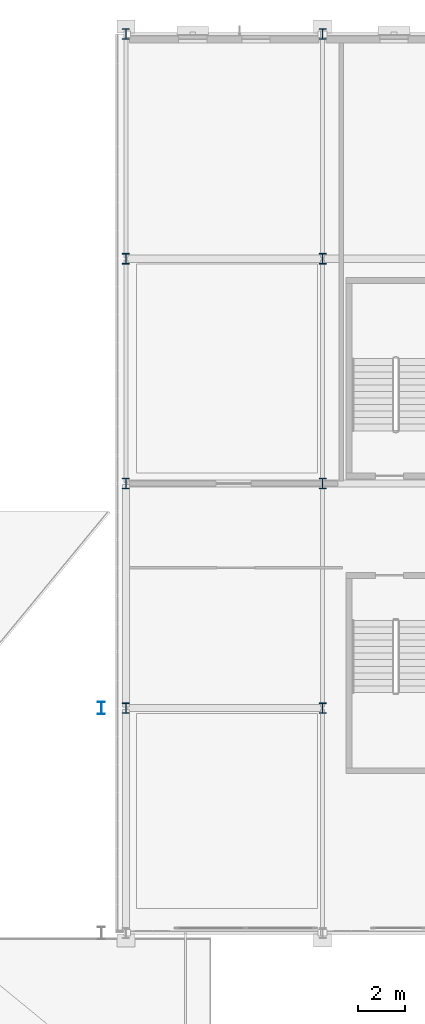
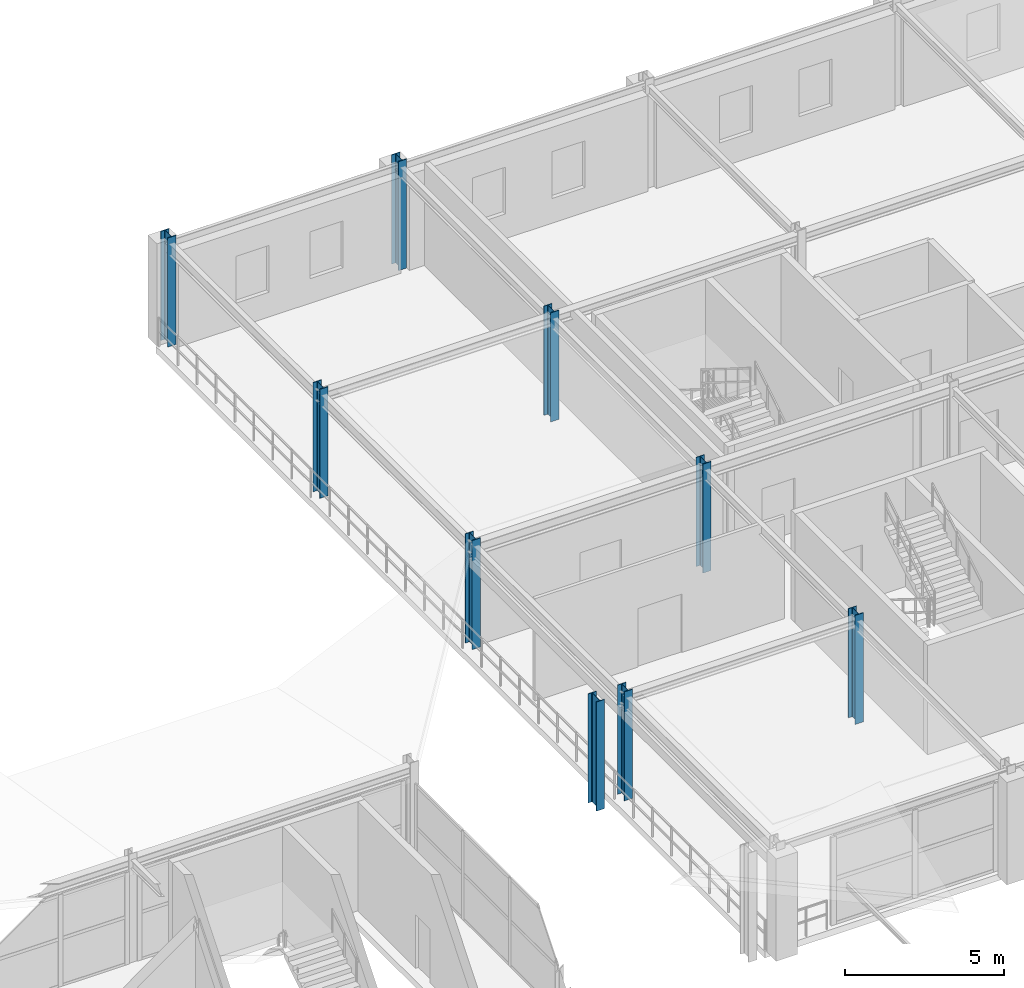
# One storey, part 8 of 81: 9 columns.
"""IFC4 building model written with IfcOpenShell, lengths in metres."""

from ifc_helpers import new_model, si_unit, direction, frame, origin, origin_2d, place, context, subcontext, project, spatial, i_section, extrude, material, material_profile, profile_set, type_object, element, save


model = new_model("IFC4")

# Units and contexts
model_context = context("Model", 3, precision=1e-05, world=origin(), true_north=direction((0.0, 1.0)))
body_context = subcontext(model_context, "Body", "Model", "MODEL_VIEW")
ifc_project = project(units=[si_unit("LENGTHUNIT", "METRE"), si_unit("AREAUNIT", "SQUARE_METRE"), si_unit("VOLUMEUNIT", "CUBIC_METRE"), si_unit("PLANEANGLEUNIT", "RADIAN"), si_unit("MASSUNIT", "GRAM", prefix="KILO")], contexts=[model_context])

# Site, building, storey
site_placement = place(None, origin())
site = spatial("IfcSite", under=ifc_project, at=site_placement, CompositionType="ELEMENT")
building_placement = place(site_placement, origin())
building = spatial("IfcBuilding", under=site, at=building_placement, Name="Myrtia Square Station", CompositionType="ELEMENT")
storey_placement = place(building_placement, frame((0.0, 0.0, 10.800048828125)))
storey = spatial("IfcBuildingStorey", under=building, at=storey_placement, Name="L02", CompositionType="ELEMENT", Elevation=10.800048828125)

# Columns
ifc_material = material(Name="Steel S355", Category="steel")
ifc_material_profile_1 = material_profile(ifc_material, i_section(OverallWidth=0.300048828125, OverallDepth=0.5400390625, WebThickness=0.012451171875, FlangeThickness=0.02392578125, FilletRadius=0.027099609375, at=origin_2d()), Name="HEA 550")
ifc_profile_set_1 = profile_set([ifc_material_profile_1], Name="Steel S355")
column_type_1 = type_object("IfcColumnType", Name="COL-HEA550", PredefinedType="COLUMN", material=ifc_profile_set_1)
column_placement = place(storey_placement, frame((116.550048828125, 96.0, 0.0), z_axis=(0.0, 0.0, 1.0), x_axis=(1.0, 0.0, 0.0)))
element("IfcColumn", 1, at=column_placement, inside=storey, type_object=column_type_1, Name="Column L02-0403", PredefinedType="COLUMN", context=body_context, shape_type="SweptSolid", body=[
    extrude(i_section(OverallWidth=0.300048828125, OverallDepth=0.5400390625, WebThickness=0.012451171875, FlangeThickness=0.02392578125, FilletRadius=0.027099609375, at=origin_2d()), origin(), (0.0, 0.0, 1.0), 4.199951171875),
])
ifc_material_profile_2 = material_profile(ifc_material, i_section(OverallWidth=0.300048828125, OverallDepth=0.449951171875, WebThickness=0.013916015625, FlangeThickness=0.02587890625, FilletRadius=0.027099609375, at=origin_2d()), Name="HEB 450")
ifc_profile_set_2 = profile_set([ifc_material_profile_2], Name="Steel S355")
column_type_2 = type_object("IfcColumnType", Name="COL-HEB450", PredefinedType="COLUMN", material=ifc_profile_set_2)
for number, where, z_axis, x_axis, name in (
    (2, (117.60009765625, 96.0, 0.0), (0.0, 0.0, 1.0), (1.0, 0.0, 0.0), "Column L02-0766"),
    (3, (117.60009765625, 105.60009765625, 0.0), (0.0, 0.0, 1.0), (1.0, 0.0, 0.0), "Column L02-0770"),
    (4, (117.60009765625, 115.199951171875, 0.0), (0.0, 0.0, 1.0), (1.0, 0.0, 0.0), "Column L02-0774"),
    (5, (117.60009765625, 124.800048828125, 0.0), (0.0, 0.0, 1.0), (1.0, 0.0, 0.0), "Column L02-0778"),
    (6, (126.0, 96.0, 0.0), (0.0, 0.0, 1.0), (1.0, 0.0, 0.0), "Column L02-0788"),
    (7, (126.0, 105.60009765625, 0.0), (0.0, 0.0, 1.0), (1.0, 0.0, 0.0), "Column L02-0794"),
    (8, (126.0, 115.199951171875, 0.0), (0.0, 0.0, 1.0), (1.0, 0.0, 0.0), "Column L02-0800"),
    (9, (126.0, 124.800048828125, 0.0), (0.0, 0.0, 1.0), (1.0, 0.0, 0.0), "Column L02-0806"),
):
    element("IfcColumn", number, at=place(storey_placement, frame(where, z_axis=z_axis, x_axis=x_axis)), inside=storey, type_object=column_type_2, Name=name, PredefinedType="COLUMN", context=body_context, shape_type="SweptSolid", body=[
        extrude(i_section(OverallWidth=0.300048828125, OverallDepth=0.449951171875, WebThickness=0.013916015625, FlangeThickness=0.02587890625, FilletRadius=0.027099609375, at=origin_2d()), origin(), (0.0, 0.0, 1.0), 4.199951171875),
    ])

save(model, "model.ifc")
